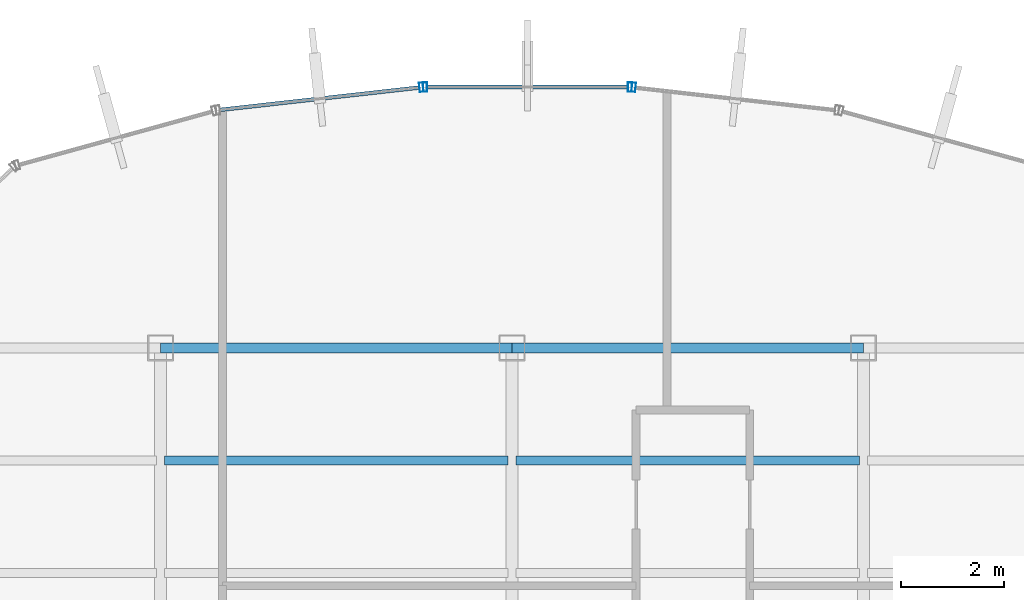
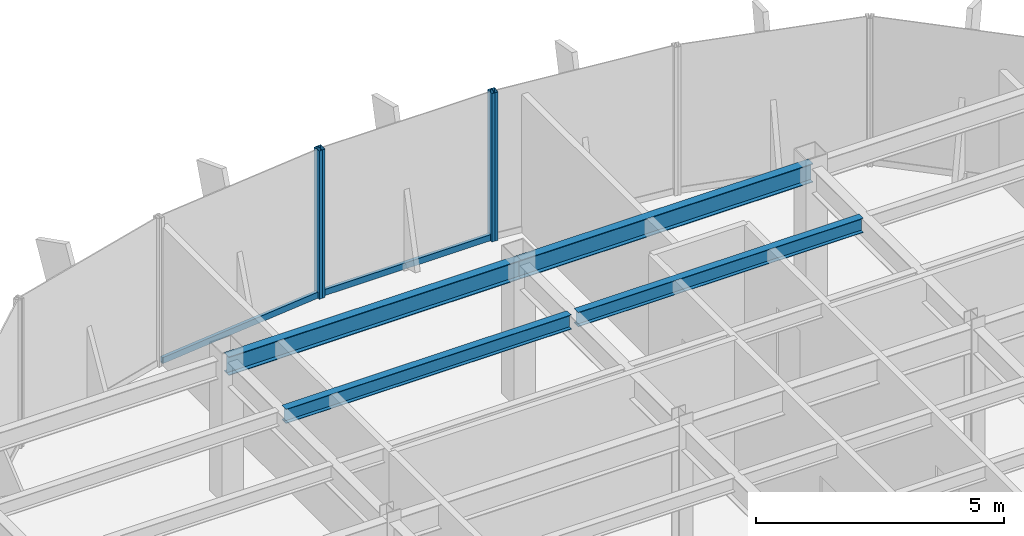
# One storey, part 13 of 22: 6 members, 4 beams, 3 elements without a shape of their own.
"""IFC4 building model written with IfcOpenShell, lengths in metres."""

from ifc_helpers import new_model, si_unit, derived_unit, direction, frame, origin, origin_2d, place, context, subcontext, project, spatial, hollow_rectangle, i_section, extrude, source, transform, mapped, material, material_profile, profile_set, type_object, element, aggregate, save


model = new_model("IFC4")

# Units and contexts
model_context = context("Model", 3, precision=1e-05, world=origin(), true_north=direction((0.0, 1.0)))
body_context = subcontext(model_context, "Body", "Model", "MODEL_VIEW")
ifc_project = project(units=[si_unit("LENGTHUNIT", "METRE"), si_unit("AREAUNIT", "SQUARE_METRE"), si_unit("VOLUMEUNIT", "CUBIC_METRE"), si_unit("PLANEANGLEUNIT", "RADIAN"), si_unit("MASSUNIT", "GRAM", prefix="KILO"), derived_unit("THERMALTRANSMITTANCEUNIT", [(si_unit("POWERUNIT", "WATT"), 1), (si_unit("LENGTHUNIT", "METRE"), -2), (si_unit("THERMODYNAMICTEMPERATUREUNIT", "KELVIN"), -1)])], contexts=[model_context])

# Site, building, storey
site_placement = place(None, origin())
site = spatial("IfcSite", under=ifc_project, at=site_placement, CompositionType="ELEMENT")
building_placement = place(site_placement, origin())
building = spatial("IfcBuilding", under=site, at=building_placement, Name="Skarnbrae Concourse Arena and Tower", CompositionType="ELEMENT")
storey_placement = place(building_placement, frame((0.0, 0.0, 195.89990234375)))
storey = spatial("IfcBuildingStorey", under=building, at=storey_placement, Name="L50", CompositionType="ELEMENT", Elevation=195.89990234375)

# Beams
ifc_material_1 = material(Name="Steel CSA G40.21 350W", Category="steel")
ifc_material_profile_1 = material_profile(ifc_material_1, i_section(OverallWidth=0.19091796875, OverallDepth=0.4599609375, WebThickness=0.010009765625, FlangeThickness=0.01611328125, at=origin_2d()), Name="W460X82")
ifc_profile_set_1 = profile_set([ifc_material_profile_1], Name="Steel CSA G40.21 350W")
beam_type_1 = type_object("IfcBeamType", Name="BM-SPAN-W460X82", PredefinedType="SPANDREL", material=ifc_profile_set_1)
shared_shape_1 = source(origin(), body_context, "Body", "SweptSolid", [
    extrude(i_section(OverallWidth=0.19091796875, OverallDepth=0.4599609375, WebThickness=0.010009765625, FlangeThickness=0.01611328125, at=origin_2d()), origin(), (0.0, 0.0, 1.0), 6.800048828125),
])
for number, where, z_axis, x_axis, name in (
    (1, (14.39990234375, 34.39990234375, 3.170166015625), (1.0, 0.0, 0.0), (0.0, 1.0, 0.0), "L50 Perimeter spandrel Y34.4-2"),
    (2, (21.199951171875, 34.39990234375, 3.170166015625), (1.0, 0.0, 0.0), (0.0, 1.0, 0.0), "L50 Perimeter spandrel Y34.4-3"),
):
    element("IfcBeam", number, at=place(storey_placement, frame(where, z_axis=z_axis, x_axis=x_axis)), inside=storey, type_object=beam_type_1, Name=name, PredefinedType="SPANDREL", context=body_context, shape_type="MappedRepresentation", body=[
        mapped(shared_shape_1, transform((0.0, 0.0, 0.0))),
    ])
ifc_material_profile_2 = material_profile(ifc_material_1, i_section(OverallWidth=0.1708984375, OverallDepth=0.35498046875, WebThickness=0.007080078125, FlangeThickness=0.01171875, at=origin_2d()), Name="W360X51")
ifc_profile_set_2 = profile_set([ifc_material_profile_2], Name="Steel CSA G40.21 350W")
beam_type_2 = type_object("IfcBeamType", Name="BM-JOIST-W360X51", PredefinedType="JOIST", material=ifc_profile_set_2)
shared_shape_2 = source(origin(), body_context, "Body", "SweptSolid", [
    extrude(i_section(OverallWidth=0.1708984375, OverallDepth=0.35498046875, WebThickness=0.007080078125, FlangeThickness=0.01171875, at=origin_2d()), origin(), (0.0, 0.0, 1.0), 6.64013671875),
])
beam_1_placement = place(storey_placement, frame((14.47998046875, 32.221923828125, 3.22265625), z_axis=(1.0, 0.0, 0.0), x_axis=(0.0, 1.0, 0.0)))
element("IfcBeam", 3, at=beam_1_placement, inside=storey, type_object=beam_type_2, Name="L50 Secondary floor joist 3.2.2", PredefinedType="JOIST", context=body_context, shape_type="MappedRepresentation", body=[
    mapped(shared_shape_2, transform((0.0, 0.0, 0.0))),
])
shared_shape_3 = source(origin(), body_context, "Body", "SweptSolid", [
    extrude(i_section(OverallWidth=0.1708984375, OverallDepth=0.35498046875, WebThickness=0.007080078125, FlangeThickness=0.01171875, at=origin_2d()), origin(), (0.0, 0.0, 1.0), 6.639892578125),
])
beam_2_placement = place(storey_placement, frame((21.280029296875, 32.221923828125, 3.22265625), z_axis=(1.0, 0.0, 0.0), x_axis=(0.0, 1.0, 0.0)))
element("IfcBeam", 4, at=beam_2_placement, inside=storey, type_object=beam_type_2, Name="L50 Secondary floor joist 3.2.3", PredefinedType="JOIST", context=body_context, shape_type="MappedRepresentation", body=[
    mapped(shared_shape_3, transform((0.0, 0.0, 0.0))),
])

# Curtain wall, member
ifc_material_2 = material(Name="Bronze anodised aluminium 6063-T6", Category="aluminium")
curtain_wall_type = type_object("IfcCurtainWallType", Name="CW-SYS-05-HIGHZONE", PredefinedType="USERDEFINED", material=ifc_material_2)
curtain_wall_1_placement = place(storey_placement, origin())
curtain_wall_1 = element("IfcCurtainWall", 5, at=curtain_wall_1_placement, inside=storey, type_object=curtain_wall_type, Name="L50 Unitised curtain wall CW-L50-E12", ObjectType="UNITISED CURTAIN WALL", PredefinedType="USERDEFINED")
ifc_material_profile_3 = material_profile(ifc_material_2, hollow_rectangle(XDim=0.074951171875, YDim=0.14990234375, WallThickness=0.00390625, at=origin_2d()), Name="ALU-TRAN-75X150")
ifc_profile_set_3 = profile_set([ifc_material_profile_3], Name="Bronze anodised aluminium 6063-T6")
member_type_1 = type_object("IfcMemberType", Name="CWT-CW-05", PredefinedType="USERDEFINED", material=ifc_profile_set_3)
shared_shape_4 = source(origin(), body_context, "Body", "SweptSolid", [
    extrude(hollow_rectangle(XDim=0.074951171875, YDim=0.14990234375, WallThickness=0.00390625, at=origin_2d()), origin(), (0.0, 0.0, 1.0), 3.8837890625),
])
member_1_placement = place(storey_placement, frame((19.408203125, 39.438232421875, 0.0751953125), z_axis=(-0.993776714154, -0.111390495128, 0.0), x_axis=(0.111390495128, -0.993776714154, 0.0)))
member_1 = element("IfcMember", 6, at=member_1_placement, type_object=member_type_1, Name="CW-L50-E12 Transom 1", ObjectType="TRANSOM", PredefinedType="USERDEFINED", context=body_context, shape_type="MappedRepresentation", body=[
    mapped(shared_shape_4, transform((0.0, 0.0, 0.0))),
])

curtain_wall_2_placement = place(storey_placement, origin())
curtain_wall_2 = element("IfcCurtainWall", 7, at=curtain_wall_2_placement, inside=storey, type_object=curtain_wall_type, Name="L50 Unitised curtain wall CW-L50-E11", ObjectType="UNITISED CURTAIN WALL", PredefinedType="USERDEFINED")
shared_shape_5 = source(origin(), body_context, "Body", "SweptSolid", [
    extrude(hollow_rectangle(XDim=0.074951171875, YDim=0.14990234375, WallThickness=0.00390625, at=origin_2d()), origin(), (0.0, 0.0, 1.0), 3.88427734375),
])
member_2_placement = place(storey_placement, frame((23.442138671875, 39.44677734375, 0.0751953125), z_axis=(-1.0, 0.0, 0.0), x_axis=(0.0, -1.0, 0.0)))
member_2 = element("IfcMember", 8, at=member_2_placement, type_object=member_type_1, Name="CW-L50-E11 Transom 1", ObjectType="TRANSOM", PredefinedType="USERDEFINED", context=body_context, shape_type="MappedRepresentation", body=[
    mapped(shared_shape_5, transform((0.0, 0.0, 0.0))),
])

curtain_wall_3_placement = place(storey_placement, origin())
curtain_wall_3 = element("IfcCurtainWall", 9, at=curtain_wall_3_placement, inside=storey, type_object=curtain_wall_type, Name="L50 Unitised curtain wall CW-L50-E10", ObjectType="UNITISED CURTAIN WALL", PredefinedType="USERDEFINED")
ifc_material_profile_4 = material_profile(ifc_material_2, hollow_rectangle(XDim=0.074951171875, YDim=0.179931640625, WallThickness=0.00390625, at=origin_2d()), Name="ALU-MULL-75X180")
ifc_profile_set_4 = profile_set([ifc_material_profile_4], Name="Bronze anodised aluminium 6063-T6")
member_type_2 = type_object("IfcMemberType", Name="CWM-CW-05", PredefinedType="MULLION", material=ifc_profile_set_4)
shared_shape_6 = source(origin(), body_context, "Body", "SweptSolid", [
    extrude(hollow_rectangle(XDim=0.074951171875, YDim=0.179931640625, WallThickness=0.00390625, at=origin_2d()), origin(), (0.0, 0.0, 1.0), 3.650146484375),
])
member_3_placement = place(storey_placement, frame((23.554443359375, 39.4423828125, 0.0), z_axis=(0.0, 0.0, 1.0), x_axis=(-0.993768891873, 0.111460259941, 0.0)))
member_3 = element("IfcMember", 10, at=member_3_placement, type_object=member_type_2, Name="CW-L50-E10 Mullion 2", PredefinedType="MULLION", context=body_context, shape_type="MappedRepresentation", body=[
    mapped(shared_shape_6, transform((0.0, 0.0, 0.0))),
])
aggregate(curtain_wall_3, [member_3])

# Member
member_4_placement = place(storey_placement, frame((23.479736328125, 39.44677734375, 0.0), z_axis=(0.0, 0.0, 1.0), x_axis=(-1.0, 0.0, 0.0)))
member_4 = element("IfcMember", 11, at=member_4_placement, type_object=member_type_2, Name="CW-L50-E11 Mullion 1", PredefinedType="MULLION", context=body_context, shape_type="MappedRepresentation", body=[
    mapped(shared_shape_6, transform((0.0, 0.0, 0.0))),
])

member_5_placement = place(storey_placement, frame((19.520263671875, 39.44677734375, 0.0), z_axis=(0.0, 0.0, 1.0), x_axis=(-1.0, 0.0, 0.0)))
member_5 = element("IfcMember", 12, at=member_5_placement, type_object=member_type_2, Name="CW-L50-E11 Mullion 2", PredefinedType="MULLION", context=body_context, shape_type="MappedRepresentation", body=[
    mapped(shared_shape_6, transform((0.0, 0.0, 0.0))),
])

aggregate(curtain_wall_2, [member_4, member_5, member_2])

member_6_placement = place(storey_placement, frame((19.445556640625, 39.4423828125, 0.0), z_axis=(0.0, 0.0, 1.0), x_axis=(-0.993768891873, -0.111460259941, 0.0)))
member_6 = element("IfcMember", 13, at=member_6_placement, type_object=member_type_2, Name="CW-L50-E12 Mullion 1", PredefinedType="MULLION", context=body_context, shape_type="MappedRepresentation", body=[
    mapped(shared_shape_6, transform((0.0, 0.0, 0.0))),
])

aggregate(curtain_wall_1, [member_6, member_1])

save(model, "model.ifc")
